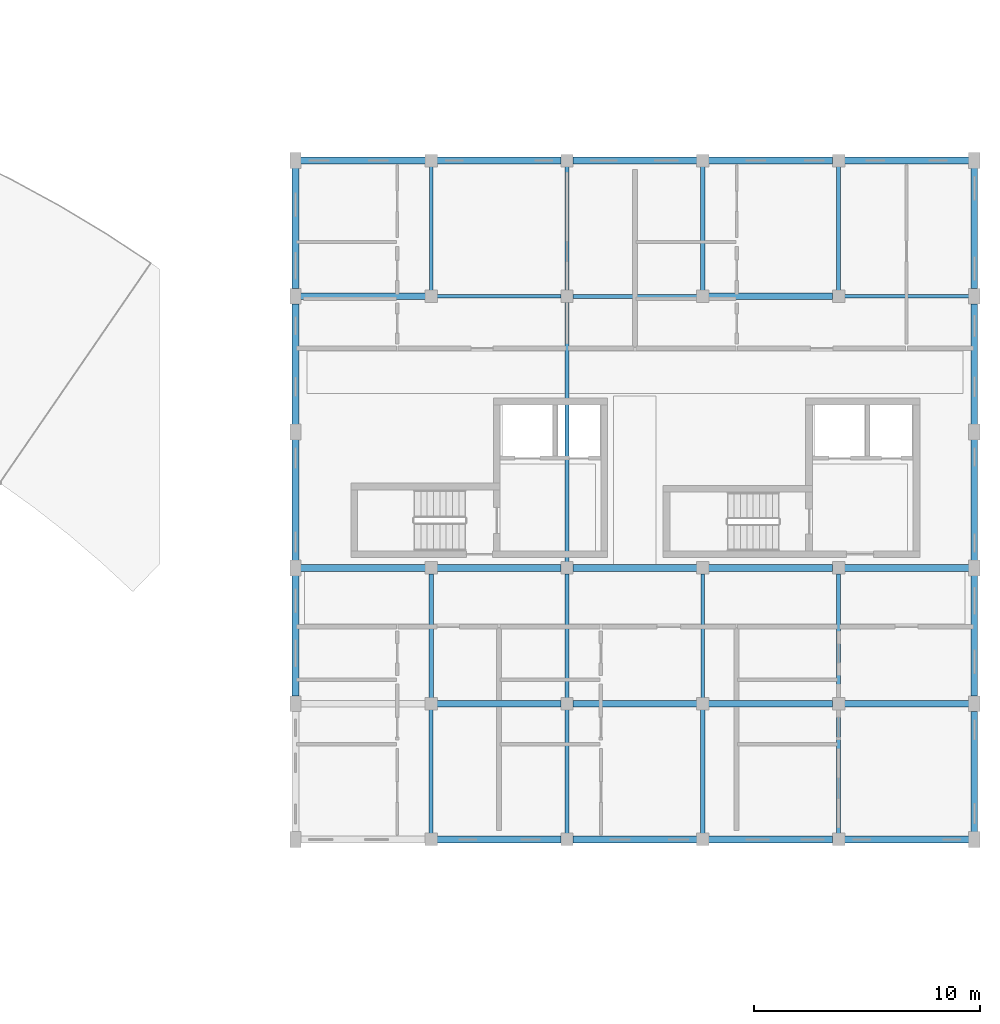
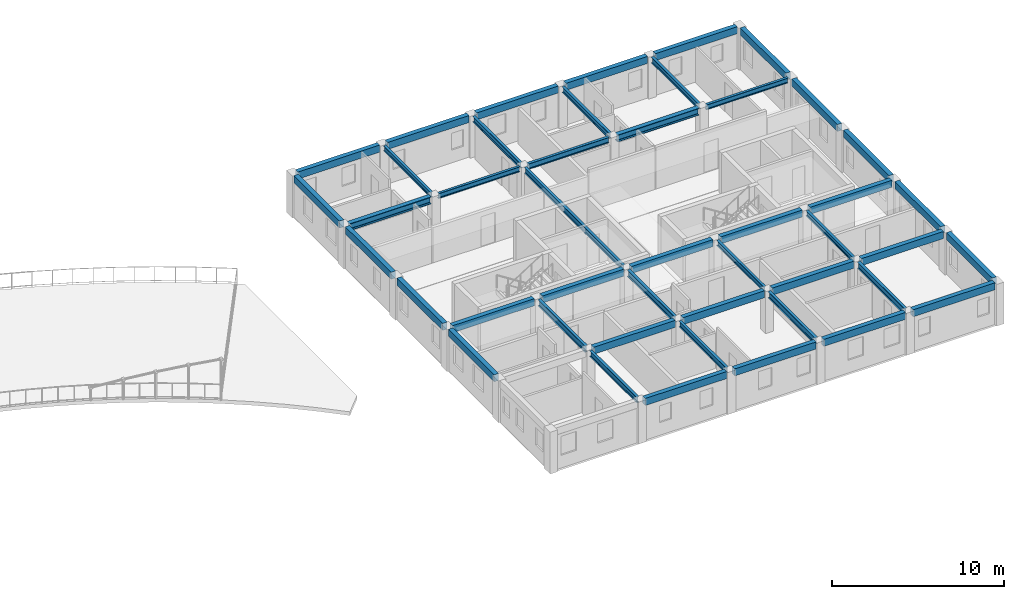
# One storey, part 17 of 58: 45 beams.
"""IFC4 building model written with IfcOpenShell, lengths in metres."""

import ifcopenshell
import ifcopenshell.guid

model = None  # the IFC model being written
_history = None  # IfcOwnerHistory: only IFC2X3 demands one
_inside = {}  # id of a spatial element -> (the spatial element, [elements in it])
_under = {}  # id of a project, library or spatial element -> (it, [spatial elements below it])
_declared = {}  # id of a project -> (the project, [libraries it declares])
_typed = {}  # id of a type object -> (the type object, [elements of that type])
_made_of = {}  # id of a material, layer set ... -> (it, [elements and type objects made of it])


def new_model(schema):
    """Start an empty IFC model of exactly this schema.

    Asked for "IFC4X3", IfcOpenShell would pick the latest addendum, in which some entities
    have other attributes; the version numbers below select the first issue.
    IFC2X3 requires an IfcOwnerHistory on every rooted entity: one is made here for all.
    """
    global model, _history
    if schema == "IFC4X3":
        model = ifcopenshell.file(schema_version=(4, 3, 0, 0))
    else:
        model = ifcopenshell.file(schema=schema)
    _inside.clear()
    _under.clear()
    _declared.clear()
    _typed.clear()
    _made_of.clear()
    _history = None
    if model.schema == "IFC2X3":
        org = make("IfcOrganization", Name="unknown")
        user = make(
            "IfcPersonAndOrganization",
            ThePerson=make("IfcPerson", FamilyName="unknown"),
            TheOrganization=org,
        )
        app = make(
            "IfcApplication",
            ApplicationDeveloper=org,
            Version="unknown",
            ApplicationFullName="unknown",
            ApplicationIdentifier="unknown",
        )
        _history = make(
            "IfcOwnerHistory",
            OwningUser=user,
            OwningApplication=app,
            ChangeAction="ADDED",
            CreationDate=0,
        )
    return model


def make(cls, **values):
    """One entity of the class cls with the attributes given. An attribute that is None is left unset."""
    return model.create_entity(
        cls, **{name: value for name, value in values.items() if value is not None}
    )


def rooted(cls, **values):
    """An entity with a GlobalId (a new one), such as an element, a storey or a relation."""
    return make(cls, GlobalId=ifcopenshell.guid.new(), OwnerHistory=_history, **values)


def si_unit(unit_type, name, prefix=None):
    """IfcSIUnit, for example si_unit("LENGTHUNIT", "METRE", prefix="MILLI")."""
    return make("IfcSIUnit", UnitType=unit_type, Prefix=prefix, Name=name)


def assignment(units):
    """IfcUnitAssignment: the units of a project."""
    return None if units is None else make("IfcUnitAssignment", Units=units)


def point(xyz):
    """IfcCartesianPoint."""
    return None if xyz is None else make("IfcCartesianPoint", Coordinates=xyz)


def direction(xyz):
    """IfcDirection."""
    return None if xyz is None else make("IfcDirection", DirectionRatios=xyz)


def frame(location, z_axis=None, x_axis=None):
    """IfcAxis2Placement3D, a coordinate frame: its origin and axes. An axis left out is left unset."""
    return make(
        "IfcAxis2Placement3D",
        Location=point(location),
        Axis=direction(z_axis),
        RefDirection=direction(x_axis),
    )


def frame_2d(location, x_axis=None):
    """IfcAxis2Placement2D, a coordinate frame in the plane: its origin and x axis."""
    return make(
        "IfcAxis2Placement2D", Location=point(location), RefDirection=direction(x_axis)
    )


def origin():
    """The frame at (0, 0, 0) with its axes left unset."""
    return frame((0.0, 0.0, 0.0))


def origin_2d():
    """The frame at (0, 0) in the plane with its x axis left unset."""
    return frame_2d((0.0, 0.0))


def place(relative_to, where):
    """IfcLocalPlacement: puts the frame where relative to a parent placement (None: the world)."""
    return make(
        "IfcLocalPlacement", PlacementRelTo=relative_to, RelativePlacement=where
    )


def context(
    kind, dimensions, precision=None, world=None, true_north=None, identifier=None
):
    """IfcGeometricRepresentationContext, for example the 3D "Model" context."""
    return make(
        "IfcGeometricRepresentationContext",
        ContextIdentifier=identifier,
        ContextType=kind,
        CoordinateSpaceDimension=dimensions,
        Precision=precision,
        WorldCoordinateSystem=world,
        TrueNorth=true_north,
    )


def subcontext(parent, identifier, kind, view, scale=None):
    """IfcGeometricRepresentationSubContext, for example "Body" below "Model"."""
    return make(
        "IfcGeometricRepresentationSubContext",
        ContextIdentifier=identifier,
        ContextType=kind,
        ParentContext=parent,
        TargetScale=scale,
        TargetView=view,
    )


def project(units=None, contexts=None):
    """IfcProject with its units and contexts."""
    return rooted(
        "IfcProject",
        Name="project",
        RepresentationContexts=contexts,
        UnitsInContext=assignment(units),
    )


def spatial(cls, under=None, at=None, **own):
    """A site, building, storey or space (cls), placed at a placement, below another one or the project."""
    s = rooted(cls, ObjectPlacement=at, **own)
    if under is not None:
        _under.setdefault(under.id(), (under, []))[1].append(s)
    return s


def profile(cls, at=None, kind="AREA", **sizes):
    """A parametric profile (cls). Its sizes go by their IFC names, for example OverallWidth=200.0."""
    return make(cls, ProfileType=kind, Position=at, **sizes)


def rectangle(**sizes):
    """IfcRectangleProfileDef."""
    return profile("IfcRectangleProfileDef", **sizes)


def i_section(**sizes):
    """IfcIShapeProfileDef."""
    return profile("IfcIShapeProfileDef", **sizes)


def extrude(swept, where, along, depth):
    """IfcExtrudedAreaSolid: the profile swept, set in the frame where, extruded along a direction by depth."""
    return make(
        "IfcExtrudedAreaSolid",
        SweptArea=swept,
        Position=where,
        ExtrudedDirection=direction(along),
        Depth=depth,
    )


def shape(context_of_items, identifier, shape_type, items):
    """IfcShapeRepresentation: the items that make up one representation, for example the "Body"."""
    return make(
        "IfcShapeRepresentation",
        ContextOfItems=context_of_items,
        RepresentationIdentifier=identifier,
        RepresentationType=shape_type,
        Items=items,
    )


def material(Name=None, Category=None):
    """IfcMaterial."""
    return make("IfcMaterial", Name=Name, Category=Category)


def material_profile(
    of_material, cross_section, Name=None, Category=None, Priority=None
):
    """IfcMaterialProfile: a cross section and its material."""
    return make(
        "IfcMaterialProfile",
        Name=Name,
        Material=of_material,
        Profile=cross_section,
        Priority=Priority,
        Category=Category,
    )


def profile_set(profiles, Name=None, composite=None):
    """IfcMaterialProfileSet."""
    return make(
        "IfcMaterialProfileSet",
        Name=Name,
        MaterialProfiles=profiles,
        CompositeProfile=composite,
    )


def made_of(thing, what):
    """Note that an element or type object is made of a material, layer set ...; save() writes the relation."""
    if what is not None:
        _made_of.setdefault(what.id(), (what, []))[1].append(thing)
    return thing


def type_object(cls, material=None, **own):
    """A type object (cls), such as IfcWallType, which elements share."""
    return made_of(rooted(cls, **own), material)


def element(
    cls,
    number,
    at=None,
    inside=None,
    cuts=None,
    type_object=None,
    material=None,
    context=None,
    identifier="Body",
    shape_type=None,
    held_by="IfcProductDefinitionShape",
    body=None,
    shapes=None,
    **own,
):
    """One element of the class cls, such as IfcWall. Its Tag is "e" and its number.

    at: its placement. inside: the storey or other place that contains it. cuts: it is an
    opening in that element (IfcRelVoidsElement). A single representation is given by context,
    identifier, shape_type and body (its items); several are given by shapes. held_by: the class
    of the entity that holds the representations. save() writes the other relations.
    """
    e = rooted(cls, Tag="e%d" % number, ObjectPlacement=at, **own)
    if body is not None:
        shapes = [shape(context, identifier, shape_type, body)]
    if shapes is not None:
        e.Representation = make(held_by, Representations=shapes)
    if inside is not None:
        _inside.setdefault(inside.id(), (inside, []))[1].append(e)
    if cuts is not None:
        rooted(
            "IfcRelVoidsElement", RelatingBuildingElement=cuts, RelatedOpeningElement=e
        )
    if type_object is not None:
        _typed.setdefault(type_object.id(), (type_object, []))[1].append(e)
    return made_of(e, material)


def aggregate(whole, parts):
    """IfcRelAggregates: a whole, such as a stair, and the parts it consists of."""
    return rooted("IfcRelAggregates", RelatingObject=whole, RelatedObjects=parts)


def save(model, path):
    """Write the relations noted so far, then the file.

    IfcRelAggregates (storeys below a building ...), IfcRelContainedInSpatialStructure (elements
    in a storey), IfcRelDefinesByType, IfcRelAssociatesMaterial and IfcRelDeclares: one each for
    every whole, place, type object, material and project.
    """
    for whole, parts in _under.values():
        aggregate(whole, parts)
    for where, things in _inside.values():
        rooted(
            "IfcRelContainedInSpatialStructure",
            RelatedElements=things,
            RelatingStructure=where,
        )
    for kind, things in _typed.values():
        rooted("IfcRelDefinesByType", RelatedObjects=things, RelatingType=kind)
    for what, things in _made_of.values():
        rooted("IfcRelAssociatesMaterial", RelatedObjects=things, RelatingMaterial=what)
    for by, libraries in _declared.values():
        rooted("IfcRelDeclares", RelatingContext=by, RelatedDefinitions=libraries)
    model.write(path)


model = new_model("IFC4")

# Units and contexts
model_context = context("Model", 3, precision=1e-05, world=origin(), true_north=direction((0.0, 1.0)))
body_context = subcontext(model_context, "Body", "Model", "MODEL_VIEW")
ifc_project = project(units=[si_unit("LENGTHUNIT", "METRE"), si_unit("AREAUNIT", "SQUARE_METRE"), si_unit("VOLUMEUNIT", "CUBIC_METRE"), si_unit("PLANEANGLEUNIT", "RADIAN"), si_unit("MASSUNIT", "GRAM", prefix="KILO"), si_unit("POWERUNIT", "WATT"), si_unit("THERMODYNAMICTEMPERATUREUNIT", "KELVIN")], contexts=[model_context])

# Site, building, storey
site_placement = place(None, origin())
site = spatial("IfcSite", under=ifc_project, at=site_placement, CompositionType="ELEMENT")
building_placement = place(site_placement, origin())
building = spatial("IfcBuilding", under=site, at=building_placement, Name="Ruvembo Vaulted Housing Court", CompositionType="ELEMENT")
storey_placement = place(building_placement, frame((0.0, 0.0, 20.5)))
storey = spatial("IfcBuildingStorey", under=building, at=storey_placement, Name="L06", CompositionType="ELEMENT", Elevation=20.5)

# Beams
ifc_material_1 = material(Name="Steel S355J2", Category="steel")
ifc_material_profile_1 = material_profile(ifc_material_1, i_section(OverallWidth=0.300048828125, OverallDepth=0.5, WebThickness=0.014404296875, FlangeThickness=0.028076171875, FilletRadius=0.027099609375, at=origin_2d()), Name="HEB 320")
ifc_profile_set_1 = profile_set([ifc_material_profile_1], Name="Steel S355J2")
beam_type_1 = type_object("IfcBeamType", Name="BM-ST-HEB320", PredefinedType="BEAM", material=ifc_profile_set_1)
beam_1_placement = place(storey_placement, frame((156.235107421875, 96.0, 2.676025390625), z_axis=(1.0, 0.0, 0.0), x_axis=(0.0, 1.0, 0.0)))
element("IfcBeam", 1, at=beam_1_placement, inside=storey, type_object=beam_type_1, Name="L06 Grid Beam X #2639", PredefinedType="BEAM", context=body_context, shape_type="SweptSolid", body=[
    extrude(i_section(OverallWidth=0.300048828125, OverallDepth=0.5, WebThickness=0.014404296875, FlangeThickness=0.028076171875, FilletRadius=0.027099609375, at=origin_2d()), origin(), (0.0, 0.0, 1.0), 5.5048828125),
])
beam_2_placement = place(storey_placement, frame((174.260009765625, 96.0, 2.676025390625), z_axis=(1.0, 0.0, 0.0), x_axis=(0.0, 1.0, 0.0)))
element("IfcBeam", 2, at=beam_2_placement, inside=storey, type_object=beam_type_1, Name="L06 Grid Beam X #2642", PredefinedType="BEAM", context=body_context, shape_type="SweptSolid", body=[
    extrude(i_section(OverallWidth=0.300048828125, OverallDepth=0.5, WebThickness=0.014404296875, FlangeThickness=0.028076171875, FilletRadius=0.027099609375, at=origin_2d()), origin(), (0.0, 0.0, 1.0), 5.47998046875),
])
ifc_material_profile_2 = material_profile(ifc_material_1, i_section(OverallWidth=0.169921875, OverallDepth=0.360107421875, WebThickness=0.008056640625, FlangeThickness=0.0126953125, FilletRadius=0.01806640625, at=origin_2d()), Name="IPE 360")
ifc_profile_set_2 = profile_set([ifc_material_profile_2], Name="Steel S355J2")
beam_type_2 = type_object("IfcBeamType", Name="BM-ST-IPE360", PredefinedType="BEAM", material=ifc_profile_set_2)
beam_3_placement = place(storey_placement, frame((162.260009765625, 96.0, 2.74609375), z_axis=(1.0, 0.0, 0.0), x_axis=(0.0, 1.0, 0.0)))
element("IfcBeam", 3, at=beam_3_placement, inside=storey, type_object=beam_type_2, Name="L06 Grid Beam X #2640", PredefinedType="BEAM", context=body_context, shape_type="SweptSolid", body=[
    extrude(i_section(OverallWidth=0.169921875, OverallDepth=0.360107421875, WebThickness=0.008056640625, FlangeThickness=0.0126953125, FilletRadius=0.01806640625, at=origin_2d()), origin(), (0.0, 0.0, 1.0), 5.47998046875),
])
beam_4_placement = place(storey_placement, frame((180.260009765625, 96.0, 2.74609375), z_axis=(1.0, 0.0, 0.0), x_axis=(0.0, 1.0, 0.0)))
element("IfcBeam", 4, at=beam_4_placement, inside=storey, type_object=beam_type_2, Name="L06 Grid Beam X #2643", PredefinedType="BEAM", context=body_context, shape_type="SweptSolid", body=[
    extrude(i_section(OverallWidth=0.169921875, OverallDepth=0.360107421875, WebThickness=0.008056640625, FlangeThickness=0.0126953125, FilletRadius=0.01806640625, at=origin_2d()), origin(), (0.0, 0.0, 1.0), 5.5048828125),
])
for number, where, z_axis, x_axis, name in (
    (5, (162.0, 96.260009765625, 2.74609375), (0.0, 1.0, 0.0), (-1.0, 0.0, 0.0), "L06 Grid Beam Y #2760"),
    (6, (174.0, 78.260009765625, 2.74609375), (0.0, 1.0, 0.0), (-1.0, 0.0, 0.0), "L06 Grid Beam Y #2766"),
    (7, (180.0, 78.260009765625, 2.74609375), (0.0, 1.0, 0.0), (-1.0, 0.0, 0.0), "L06 Grid Beam Y #2769"),
):
    element("IfcBeam", number, at=place(storey_placement, frame(where, z_axis=z_axis, x_axis=x_axis)), inside=storey, type_object=beam_type_2, Name=name, PredefinedType="BEAM", context=body_context, shape_type="SweptSolid", body=[
        extrude(i_section(OverallWidth=0.169921875, OverallDepth=0.360107421875, WebThickness=0.008056640625, FlangeThickness=0.0126953125, FilletRadius=0.01806640625, at=origin_2d()), origin(), (0.0, 0.0, 1.0), 5.47998046875),
    ])
ifc_material_profile_3 = material_profile(ifc_material_1, i_section(OverallWidth=0.179931640625, OverallDepth=0.39990234375, WebThickness=0.008544921875, FlangeThickness=0.013427734375, FilletRadius=0.02099609375, at=origin_2d()), Name="IPE 400")
ifc_profile_set_3 = profile_set([ifc_material_profile_3], Name="Steel S355J2")
beam_type_3 = type_object("IfcBeamType", Name="BM-ST-IPE400", PredefinedType="BEAM", material=ifc_profile_set_3)
for number, where, z_axis, x_axis, name in (
    (8, (168.260009765625, 96.0, 2.72607421875), (1.0, 0.0, 0.0), (0.0, 1.0, 0.0), "L06 Grid Beam X #2641"),
    (9, (162.0, 72.260009765625, 2.72607421875), (0.0, 1.0, 0.0), (-1.0, 0.0, 0.0), "L06 Grid Beam Y #2758"),
    (10, (168.0, 72.260009765625, 2.72607421875), (0.0, 1.0, 0.0), (-1.0, 0.0, 0.0), "L06 Grid Beam Y #2761"),
):
    element("IfcBeam", number, at=place(storey_placement, frame(where, z_axis=z_axis, x_axis=x_axis)), inside=storey, type_object=beam_type_3, Name=name, PredefinedType="BEAM", context=body_context, shape_type="SweptSolid", body=[
        extrude(i_section(OverallWidth=0.179931640625, OverallDepth=0.39990234375, WebThickness=0.008544921875, FlangeThickness=0.013427734375, FilletRadius=0.02099609375, at=origin_2d()), origin(), (0.0, 0.0, 1.0), 5.47998046875),
    ])
beam_5_placement = place(storey_placement, frame((168.0, 84.260009765625, 2.72607421875), z_axis=(0.0, 1.0, 0.0), x_axis=(-1.0, 0.0, 0.0)))
element("IfcBeam", 11, at=beam_5_placement, inside=storey, type_object=beam_type_3, Name="L06 Grid Beam Y #2763", PredefinedType="BEAM", context=body_context, shape_type="SweptSolid", body=[
    extrude(i_section(OverallWidth=0.179931640625, OverallDepth=0.39990234375, WebThickness=0.008544921875, FlangeThickness=0.013427734375, FilletRadius=0.02099609375, at=origin_2d()), origin(), (0.0, 0.0, 1.0), 11.47998046875),
])
for number, where, z_axis, x_axis, name in (
    (12, (168.0, 96.260009765625, 2.72607421875), (0.0, 1.0, 0.0), (-1.0, 0.0, 0.0), "L06 Grid Beam Y #2764"),
    (13, (174.0, 96.260009765625, 2.72607421875), (0.0, 1.0, 0.0), (-1.0, 0.0, 0.0), "L06 Grid Beam Y #2767"),
    (14, (180.0, 96.260009765625, 2.72607421875), (0.0, 1.0, 0.0), (-1.0, 0.0, 0.0), "L06 Grid Beam Y #2770"),
):
    element("IfcBeam", number, at=place(storey_placement, frame(where, z_axis=z_axis, x_axis=x_axis)), inside=storey, type_object=beam_type_3, Name=name, PredefinedType="BEAM", context=body_context, shape_type="SweptSolid", body=[
        extrude(i_section(OverallWidth=0.179931640625, OverallDepth=0.39990234375, WebThickness=0.008544921875, FlangeThickness=0.013427734375, FilletRadius=0.02099609375, at=origin_2d()), origin(), (0.0, 0.0, 1.0), 5.47998046875),
    ])
ifc_material_profile_4 = material_profile(ifc_material_1, i_section(OverallWidth=0.18994140625, OverallDepth=0.449951171875, WebThickness=0.009521484375, FlangeThickness=0.0146484375, FilletRadius=0.02099609375, at=origin_2d()), Name="IPE 450")
ifc_profile_set_4 = profile_set([ifc_material_profile_4], Name="Steel S355J2")
beam_type_4 = type_object("IfcBeamType", Name="BM-ST-IPE450", PredefinedType="BEAM", material=ifc_profile_set_4)
for number, where, z_axis, x_axis, name in (
    (15, (162.0, 78.260009765625, 2.700927734375), (0.0, 1.0, 0.0), (-1.0, 0.0, 0.0), "L06 Grid Beam Y #2759"),
    (16, (168.0, 78.260009765625, 2.700927734375), (0.0, 1.0, 0.0), (-1.0, 0.0, 0.0), "L06 Grid Beam Y #2762"),
    (17, (174.0, 72.260009765625, 2.700927734375), (0.0, 1.0, 0.0), (-1.0, 0.0, 0.0), "L06 Grid Beam Y #2765"),
    (18, (180.0, 72.260009765625, 2.700927734375), (0.0, 1.0, 0.0), (-1.0, 0.0, 0.0), "L06 Grid Beam Y #2768"),
):
    element("IfcBeam", number, at=place(storey_placement, frame(where, z_axis=z_axis, x_axis=x_axis)), inside=storey, type_object=beam_type_4, Name=name, PredefinedType="BEAM", context=body_context, shape_type="SweptSolid", body=[
        extrude(i_section(OverallWidth=0.18994140625, OverallDepth=0.449951171875, WebThickness=0.009521484375, FlangeThickness=0.0146484375, FilletRadius=0.02099609375, at=origin_2d()), origin(), (0.0, 0.0, 1.0), 5.47998046875),
    ])
ifc_material_2 = material(Name="Concrete C35/45", Category="concrete")
ifc_material_profile_5 = material_profile(ifc_material_2, rectangle(XDim=0.300048828125, YDim=0.5, at=origin_2d()), Name="RC 300x500")
ifc_profile_set_5 = profile_set([ifc_material_profile_5], Name="Concrete C35/45")
beam_type_5 = type_object("IfcBeamType", Name="SP-RC-300x500", PredefinedType="SPANDREL", material=ifc_profile_set_5)
for number, where, z_axis, x_axis, name in (
    (19, (162.260009765625, 72.0, 2.719970703125), (1.0, 0.0, 0.0), (0.0, 1.0, 0.0), "L06 Grid Beam X #2606"),
    (20, (168.260009765625, 72.0, 2.719970703125), (1.0, 0.0, 0.0), (0.0, 1.0, 0.0), "L06 Grid Beam X #2607"),
    (21, (174.260009765625, 72.0, 2.719970703125), (1.0, 0.0, 0.0), (0.0, 1.0, 0.0), "L06 Grid Beam X #2608"),
):
    element("IfcBeam", number, at=place(storey_placement, frame(where, z_axis=z_axis, x_axis=x_axis)), inside=storey, type_object=beam_type_5, Name=name, PredefinedType="SPANDREL", context=body_context, shape_type="SweptSolid", body=[
        extrude(rectangle(XDim=0.300048828125, YDim=0.5, at=origin_2d()), origin(), (0.0, 0.0, 1.0), 5.47998046875),
    ])
beam_6_placement = place(storey_placement, frame((180.260009765625, 72.0, 2.719970703125), z_axis=(1.0, 0.0, 0.0), x_axis=(0.0, 1.0, 0.0)))
element("IfcBeam", 22, at=beam_6_placement, inside=storey, type_object=beam_type_5, Name="L06 Grid Beam X #2609", PredefinedType="SPANDREL", context=body_context, shape_type="SweptSolid", body=[
    extrude(rectangle(XDim=0.300048828125, YDim=0.5, at=origin_2d()), origin(), (0.0, 0.0, 1.0), 5.5048828125),
])
for number, where, z_axis, x_axis, name in (
    (23, (162.260009765625, 78.0, 2.719970703125), (1.0, 0.0, 0.0), (0.0, 1.0, 0.0), "L06 Grid Beam X #2617"),
    (24, (168.260009765625, 78.0, 2.719970703125), (1.0, 0.0, 0.0), (0.0, 1.0, 0.0), "L06 Grid Beam X #2618"),
    (25, (174.260009765625, 78.0, 2.719970703125), (1.0, 0.0, 0.0), (0.0, 1.0, 0.0), "L06 Grid Beam X #2619"),
):
    element("IfcBeam", number, at=place(storey_placement, frame(where, z_axis=z_axis, x_axis=x_axis)), inside=storey, type_object=beam_type_5, Name=name, PredefinedType="SPANDREL", context=body_context, shape_type="SweptSolid", body=[
        extrude(rectangle(XDim=0.300048828125, YDim=0.5, at=origin_2d()), origin(), (0.0, 0.0, 1.0), 5.47998046875),
    ])
for number, where, z_axis, x_axis, name in (
    (26, (180.260009765625, 78.0, 2.719970703125), (1.0, 0.0, 0.0), (0.0, 1.0, 0.0), "L06 Grid Beam X #2620"),
    (27, (156.235107421875, 84.0, 2.719970703125), (1.0, 0.0, 0.0), (0.0, 1.0, 0.0), "L06 Grid Beam X #2627"),
):
    element("IfcBeam", number, at=place(storey_placement, frame(where, z_axis=z_axis, x_axis=x_axis)), inside=storey, type_object=beam_type_5, Name=name, PredefinedType="SPANDREL", context=body_context, shape_type="SweptSolid", body=[
        extrude(rectangle(XDim=0.300048828125, YDim=0.5, at=origin_2d()), origin(), (0.0, 0.0, 1.0), 5.5048828125),
    ])
for number, where, z_axis, x_axis, name in (
    (28, (162.260009765625, 84.0, 2.719970703125), (1.0, 0.0, 0.0), (0.0, 1.0, 0.0), "L06 Grid Beam X #2628"),
    (29, (168.260009765625, 84.0, 2.719970703125), (1.0, 0.0, 0.0), (0.0, 1.0, 0.0), "L06 Grid Beam X #2629"),
    (30, (174.260009765625, 84.0, 2.719970703125), (1.0, 0.0, 0.0), (0.0, 1.0, 0.0), "L06 Grid Beam X #2630"),
):
    element("IfcBeam", number, at=place(storey_placement, frame(where, z_axis=z_axis, x_axis=x_axis)), inside=storey, type_object=beam_type_5, Name=name, PredefinedType="SPANDREL", context=body_context, shape_type="SweptSolid", body=[
        extrude(rectangle(XDim=0.300048828125, YDim=0.5, at=origin_2d()), origin(), (0.0, 0.0, 1.0), 5.47998046875),
    ])
for number, where, z_axis, x_axis, name in (
    (31, (180.260009765625, 84.0, 2.719970703125), (1.0, 0.0, 0.0), (0.0, 1.0, 0.0), "L06 Grid Beam X #2631"),
    (32, (156.235107421875, 102.0, 2.719970703125), (1.0, 0.0, 0.0), (0.0, 1.0, 0.0), "L06 Grid Beam X #2650"),
):
    element("IfcBeam", number, at=place(storey_placement, frame(where, z_axis=z_axis, x_axis=x_axis)), inside=storey, type_object=beam_type_5, Name=name, PredefinedType="SPANDREL", context=body_context, shape_type="SweptSolid", body=[
        extrude(rectangle(XDim=0.300048828125, YDim=0.5, at=origin_2d()), origin(), (0.0, 0.0, 1.0), 5.5048828125),
    ])
for number, where, z_axis, x_axis, name in (
    (33, (162.260009765625, 102.0, 2.719970703125), (1.0, 0.0, 0.0), (0.0, 1.0, 0.0), "L06 Grid Beam X #2651"),
    (34, (168.260009765625, 102.0, 2.719970703125), (1.0, 0.0, 0.0), (0.0, 1.0, 0.0), "L06 Grid Beam X #2652"),
    (35, (174.260009765625, 102.0, 2.719970703125), (1.0, 0.0, 0.0), (0.0, 1.0, 0.0), "L06 Grid Beam X #2653"),
):
    element("IfcBeam", number, at=place(storey_placement, frame(where, z_axis=z_axis, x_axis=x_axis)), inside=storey, type_object=beam_type_5, Name=name, PredefinedType="SPANDREL", context=body_context, shape_type="SweptSolid", body=[
        extrude(rectangle(XDim=0.300048828125, YDim=0.5, at=origin_2d()), origin(), (0.0, 0.0, 1.0), 5.47998046875),
    ])
beam_7_placement = place(storey_placement, frame((180.260009765625, 102.0, 2.719970703125), z_axis=(1.0, 0.0, 0.0), x_axis=(0.0, 1.0, 0.0)))
element("IfcBeam", 36, at=beam_7_placement, inside=storey, type_object=beam_type_5, Name="L06 Grid Beam X #2654", PredefinedType="SPANDREL", context=body_context, shape_type="SweptSolid", body=[
    extrude(rectangle(XDim=0.300048828125, YDim=0.5, at=origin_2d()), origin(), (0.0, 0.0, 1.0), 5.5048828125),
])
for number, where, z_axis, x_axis, name in (
    (37, (156.0, 78.3349609375, 2.719970703125), (0.0, 1.0, 0.0), (-1.0, 0.0, 0.0), "L06 Grid Beam Y #2754"),
    (38, (156.0, 84.3349609375, 2.719970703125), (0.0, 1.0, 0.0), (-1.0, 0.0, 0.0), "L06 Grid Beam Y #2755"),
    (39, (156.0, 90.3349609375, 2.719970703125), (0.0, 1.0, 0.0), (-1.0, 0.0, 0.0), "L06 Grid Beam Y #2756"),
    (40, (156.0, 96.3349609375, 2.719970703125), (0.0, 1.0, 0.0), (-1.0, 0.0, 0.0), "L06 Grid Beam Y #2757"),
    (41, (186.0, 72.3349609375, 2.719970703125), (0.0, 1.0, 0.0), (-1.0, 0.0, 0.0), "L06 Grid Beam Y #2771"),
    (42, (186.0, 78.3349609375, 2.719970703125), (0.0, 1.0, 0.0), (-1.0, 0.0, 0.0), "L06 Grid Beam Y #2772"),
    (43, (186.0, 84.3349609375, 2.719970703125), (0.0, 1.0, 0.0), (-1.0, 0.0, 0.0), "L06 Grid Beam Y #2773"),
    (44, (186.0, 90.3349609375, 2.719970703125), (0.0, 1.0, 0.0), (-1.0, 0.0, 0.0), "L06 Grid Beam Y #2774"),
    (45, (186.0, 96.3349609375, 2.719970703125), (0.0, 1.0, 0.0), (-1.0, 0.0, 0.0), "L06 Grid Beam Y #2775"),
):
    element("IfcBeam", number, at=place(storey_placement, frame(where, z_axis=z_axis, x_axis=x_axis)), inside=storey, type_object=beam_type_5, Name=name, PredefinedType="SPANDREL", context=body_context, shape_type="SweptSolid", body=[
        extrude(rectangle(XDim=0.300048828125, YDim=0.5, at=origin_2d()), origin(), (0.0, 0.0, 1.0), 5.330078125),
    ])

save(model, "model.ifc")
